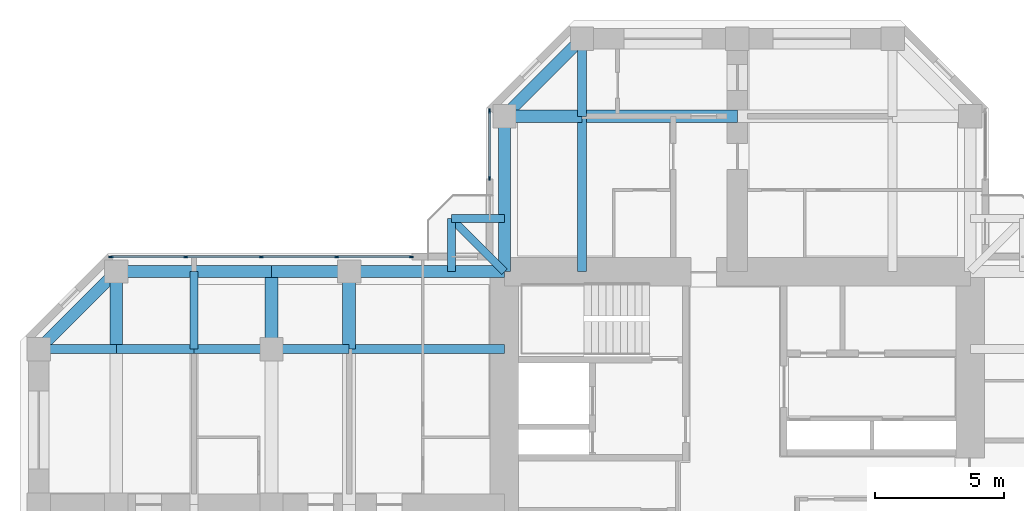
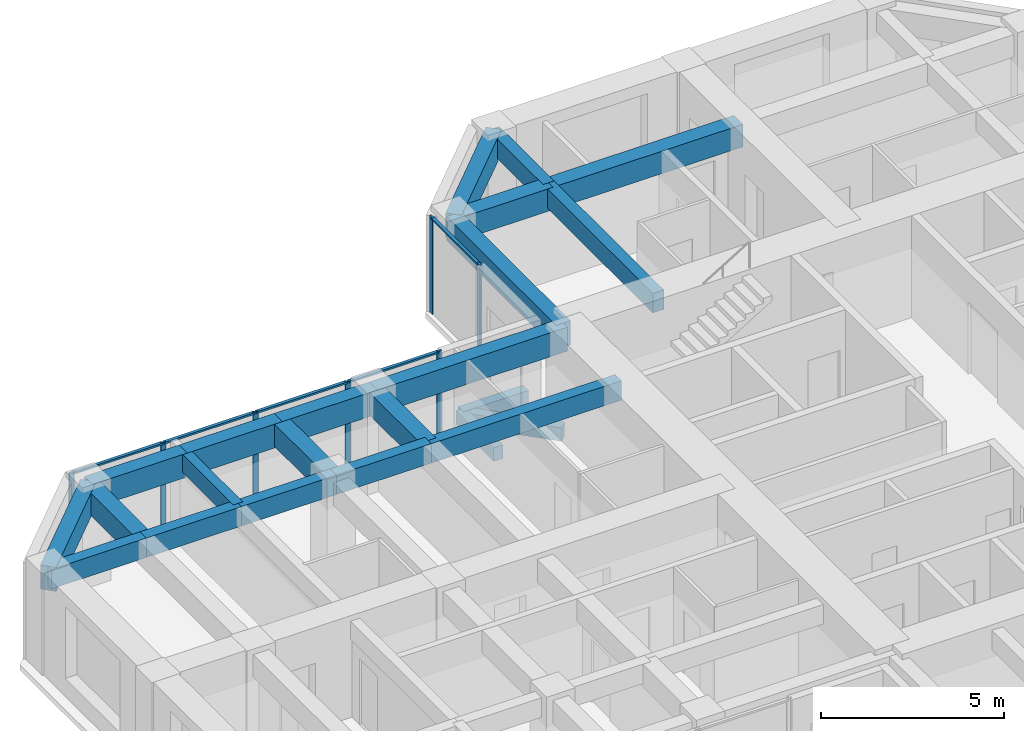
# One storey, part 5 of 14: 23 beams, 12 members, 2 elements without a shape of their own.
"""IFC4 building model written with IfcOpenShell, lengths in metres."""

from ifc_helpers import new_model, si_unit, direction, frame, origin, origin_2d, place, context, subcontext, project, spatial, rectangle, extrude, material, material_profile, profile_set, type_object, element, aggregate, save


model = new_model("IFC4")

# Units and contexts
model_context = context("Model", 3, precision=1e-05, world=origin(), true_north=direction((0.0, 1.0)))
body_context = subcontext(model_context, "Body", "Model", "MODEL_VIEW")
ifc_project = project(units=[si_unit("LENGTHUNIT", "METRE"), si_unit("AREAUNIT", "SQUARE_METRE"), si_unit("VOLUMEUNIT", "CUBIC_METRE"), si_unit("PLANEANGLEUNIT", "RADIAN"), si_unit("MASSUNIT", "GRAM", prefix="KILO")], contexts=[model_context])

# Site, building, storey
site_placement = place(None, origin())
site = spatial("IfcSite", under=ifc_project, at=site_placement, CompositionType="ELEMENT")
building_placement = place(site_placement, origin())
building = spatial("IfcBuilding", under=site, at=building_placement, Name="Torre Cruceta", CompositionType="ELEMENT")
storey_placement = place(building_placement, frame((0.0, 0.0, 203.5)))
storey = spatial("IfcBuildingStorey", under=building, at=storey_placement, Name="L51", CompositionType="ELEMENT", Elevation=203.5)

# Beams
ifc_material_1 = material(Name="Concrete G60 (fck 60 MPa)", Category="concrete")
ifc_material_profile_1 = material_profile(ifc_material_1, rectangle(XDim=0.300048828125, YDim=0.449951171875, at=origin_2d()), Name="RC 300X450")
ifc_profile_set_1 = profile_set([ifc_material_profile_1], Name="Concrete G60 (fck 60 MPa)")
beam_type_1 = type_object("IfcBeamType", Name="BALCONY CANTILEVER BEAM RC 300X450", PredefinedType="BEAM", material=ifc_profile_set_1)
beam_1_placement = place(storey_placement, frame((-9.0, 9.0, -0.405029296875), z_axis=(-0.707106781187, 0.707106781187, 0.0), x_axis=(-0.707106781187, -0.707106781187, 0.0)))
element("IfcBeam", 1, at=beam_1_placement, inside=storey, type_object=beam_type_1, Name="BB1 balcony beam L51 N", PredefinedType="BEAM", context=body_context, shape_type="SweptSolid", body=[
    extrude(rectangle(XDim=0.300048828125, YDim=0.449951171875, at=origin_2d()), origin(), (0.0, 0.0, 1.0), 2.89990234375),
])
for number, where, z_axis, x_axis, name in (
    (2, (-11.050537109375, 9.0, -0.405029296875), (0.0, 1.0, 0.0), (-1.0, 0.0, 0.0), "BB1 balcony edge beam L51 N-X"),
    (3, (-9.0, 11.050537109375, -0.405029296875), (-1.0, 0.0, 0.0), (0.0, -1.0, 0.0), "BB1 balcony edge beam L51 N-Y"),
):
    element("IfcBeam", number, at=place(storey_placement, frame(where, z_axis=z_axis, x_axis=x_axis)), inside=storey, type_object=beam_type_1, Name=name, PredefinedType="BEAM", context=body_context, shape_type="SweptSolid", body=[
        extrude(rectangle(XDim=0.300048828125, YDim=0.449951171875, at=origin_2d()), origin(), (0.0, 0.0, 1.0), 2.050537109375),
    ])
ifc_material_2 = material(Name="Concrete G60 (fck 60 MPa)", Category="concrete")
ifc_material_profile_2 = material_profile(ifc_material_2, rectangle(XDim=0.35009765625, YDim=0.64990234375, at=origin_2d()), Name="RC 350X650")
ifc_profile_set_2 = profile_set([ifc_material_profile_2], Name="Concrete G60 (fck 60 MPa)")
beam_type_2 = type_object("IfcBeamType", Name="COLUMN LINE BEAM RC 350X650", PredefinedType="BEAM", material=ifc_profile_set_2)
beam_2_placement = place(storey_placement, frame((-6.0, 9.0, 2.89501953125), z_axis=(0.0, 1.0, 0.0), x_axis=(-1.0, 0.0, 0.0)))
element("IfcBeam", 4, at=beam_2_placement, inside=storey, type_object=beam_type_2, Name="LB7 L51 N col+ 1", PredefinedType="BEAM", context=body_context, shape_type="SweptSolid", body=[
    extrude(rectangle(XDim=0.35009765625, YDim=0.64990234375, at=origin_2d()), origin(), (0.0, 0.0, 1.0), 6.0),
])
beam_3_placement = place(storey_placement, frame((-6.0, 15.0, 2.89501953125), z_axis=(0.0, 1.0, 0.0), x_axis=(-1.0, 0.0, 0.0)))
element("IfcBeam", 5, at=beam_3_placement, inside=storey, type_object=beam_type_2, Name="LB7 L51 N col+ 2", PredefinedType="BEAM", context=body_context, shape_type="SweptSolid", body=[
    extrude(rectangle(XDim=0.35009765625, YDim=0.64990234375, at=origin_2d()), origin(), (0.0, 0.0, 1.0), 3.0),
])
beam_4_placement = place(storey_placement, frame((-9.0, 6.0, 2.89501953125), z_axis=(-1.0, 0.0, 0.0), x_axis=(0.0, -1.0, 0.0)))
element("IfcBeam", 6, at=beam_4_placement, inside=storey, type_object=beam_type_2, Name="LB7 L51 W col- 1", PredefinedType="BEAM", context=body_context, shape_type="SweptSolid", body=[
    extrude(rectangle(XDim=0.35009765625, YDim=0.64990234375, at=origin_2d()), origin(), (0.0, 0.0, 1.0), 6.0),
])
for number, where, z_axis, x_axis, name in (
    (7, (-15.0, 6.0, 2.89501953125), (-1.0, 0.0, 0.0), (0.0, -1.0, 0.0), "LB7 L51 W col- 2"),
    (8, (-18.0, 6.0, 2.89501953125), (-1.0, 0.0, 0.0), (0.0, -1.0, 0.0), "LB7 L51 W col- 3"),
    (9, (-21.0, 6.0, 2.89501953125), (-1.0, 0.0, 0.0), (0.0, -1.0, 0.0), "LB7 L51 W col- 4"),
    (10, (-24.0, 6.0, 2.89501953125), (-1.0, 0.0, 0.0), (0.0, -1.0, 0.0), "LB7 L51 W col- 5"),
):
    element("IfcBeam", number, at=place(storey_placement, frame(where, z_axis=z_axis, x_axis=x_axis)), inside=storey, type_object=beam_type_2, Name=name, PredefinedType="BEAM", context=body_context, shape_type="SweptSolid", body=[
        extrude(rectangle(XDim=0.35009765625, YDim=0.64990234375, at=origin_2d()), origin(), (0.0, 0.0, 1.0), 3.0),
    ])
ifc_material_3 = material(Name="Concrete G60 (fck 60 MPa)", Category="concrete")
ifc_material_profile_3 = material_profile(ifc_material_3, rectangle(XDim=0.5, YDim=0.75, at=origin_2d()), Name="RC 500X750")
ifc_profile_set_3 = profile_set([ifc_material_profile_3], Name="Concrete G60 (fck 60 MPa)")
beam_type_3 = type_object("IfcBeamType", Name="CROSS BEAM RC 500X750", PredefinedType="BEAM", material=ifc_profile_set_3)
beam_5_placement = place(storey_placement, frame((0.0, 15.0, 2.844970703125), z_axis=(-1.0, 0.0, 0.0), x_axis=(0.0, -1.0, 0.0)))
element("IfcBeam", 11, at=beam_5_placement, inside=storey, type_object=beam_type_3, Name="GB6 L51 N cross15 3", PredefinedType="BEAM", context=body_context, shape_type="SweptSolid", body=[
    extrude(rectangle(XDim=0.5, YDim=0.75, at=origin_2d()), origin(), (0.0, 0.0, 1.0), 6.0),
])
for number, where, z_axis, x_axis, name in (
    (12, (-6.0, 15.0, 2.844970703125), (-1.0, 0.0, 0.0), (0.0, -1.0, 0.0), "GB6 L51 N cross15 4"),
    (13, (-15.0, 9.0, 2.844970703125), (0.0, -1.0, 0.0), (1.0, 0.0, 0.0), "GB6 L51 W cross15 1"),
    (14, (-18.0, 9.0, 2.844970703125), (0.0, -1.0, 0.0), (1.0, 0.0, 0.0), "GB6 L51 W cross18 1"),
    (15, (-24.0, 9.0, 2.844970703125), (0.0, -1.0, 0.0), (1.0, 0.0, 0.0), "GB6 L51 W cross24 1"),
):
    element("IfcBeam", number, at=place(storey_placement, frame(where, z_axis=z_axis, x_axis=x_axis)), inside=storey, type_object=beam_type_3, Name=name, PredefinedType="BEAM", context=body_context, shape_type="SweptSolid", body=[
        extrude(rectangle(XDim=0.5, YDim=0.75, at=origin_2d()), origin(), (0.0, 0.0, 1.0), 3.0),
    ])

# Curtain wall, members
ifc_material_4 = material(Name="Aluminium unitised curtain wall", Category="aluminium")
curtain_wall_type = type_object("IfcCurtainWallType", Name="CURTAIN WALL CW-C CO-LIVING", PredefinedType="USERDEFINED", material=ifc_material_4)
curtain_wall_1_placement = place(storey_placement, origin())
curtain_wall_1 = element("IfcCurtainWall", 16, at=curtain_wall_1_placement, inside=storey, type_object=curtain_wall_type, Name="CW-C L51 N side 09", ObjectType="UNITISED", PredefinedType="USERDEFINED")
ifc_material_5 = material(Name="Aluminium mullion", Category="aluminium")
ifc_material_profile_4 = material_profile(ifc_material_5, rectangle(XDim=0.06005859375, YDim=0.159912109375, at=origin_2d()), Name="AL 60X160")
ifc_profile_set_4 = profile_set([ifc_material_profile_4], Name="Aluminium mullion")
member_type_1 = type_object("IfcMemberType", Name="CW-C MULLION 60X160", PredefinedType="MULLION", material=ifc_profile_set_4)
member_1_placement = place(storey_placement, frame((-9.570068359375, 15.2060546875, 0.0), z_axis=(0.0, 0.0, 1.0), x_axis=(1.0, 0.0, 0.0)))
member_1 = element("IfcMember", 17, at=member_1_placement, type_object=member_type_1, Name="CW-C mullion 1", PredefinedType="MULLION", context=body_context, shape_type="SweptSolid", body=[
    extrude(rectangle(XDim=0.06005859375, YDim=0.159912109375, at=origin_2d()), origin(), (0.0, 0.0, 1.0), 3.219970703125),
])
member_2_placement = place(storey_placement, frame((-9.570068359375, 12.60009765625, 0.0), z_axis=(0.0, 0.0, 1.0), x_axis=(1.0, 0.0, 0.0)))
member_2 = element("IfcMember", 18, at=member_2_placement, type_object=member_type_1, Name="CW-C mullion 2", PredefinedType="MULLION", context=body_context, shape_type="SweptSolid", body=[
    extrude(rectangle(XDim=0.06005859375, YDim=0.159912109375, at=origin_2d()), origin(), (0.0, 0.0, 1.0), 3.219970703125),
])

curtain_wall_2_placement = place(storey_placement, origin())
curtain_wall_2 = element("IfcCurtainWall", 19, at=curtain_wall_2_placement, inside=storey, type_object=curtain_wall_type, Name="CW-C L51 W side 10", ObjectType="UNITISED", PredefinedType="USERDEFINED")
member_3_placement = place(storey_placement, frame((-12.60009765625, 9.570068359375, 0.0), z_axis=(0.0, 0.0, 1.0), x_axis=(0.0, -1.0, 0.0)))
member_3 = element("IfcMember", 20, at=member_3_placement, type_object=member_type_1, Name="CW-C mullion 1", PredefinedType="MULLION", context=body_context, shape_type="SweptSolid", body=[
    extrude(rectangle(XDim=0.06005859375, YDim=0.159912109375, at=origin_2d()), origin(), (0.0, 0.0, 1.0), 3.219970703125),
])
member_4_placement = place(storey_placement, frame((-15.486572265625, 9.570068359375, 0.0), z_axis=(0.0, 0.0, 1.0), x_axis=(0.0, -1.0, 0.0)))
member_4 = element("IfcMember", 21, at=member_4_placement, type_object=member_type_1, Name="CW-C mullion 2", PredefinedType="MULLION", context=body_context, shape_type="SweptSolid", body=[
    extrude(rectangle(XDim=0.06005859375, YDim=0.159912109375, at=origin_2d()), origin(), (0.0, 0.0, 1.0), 3.219970703125),
])
member_5_placement = place(storey_placement, frame((-18.403076171875, 9.570068359375, 0.0), z_axis=(0.0, 0.0, 1.0), x_axis=(0.0, -1.0, 0.0)))
member_5 = element("IfcMember", 22, at=member_5_placement, type_object=member_type_1, Name="CW-C mullion 3", PredefinedType="MULLION", context=body_context, shape_type="SweptSolid", body=[
    extrude(rectangle(XDim=0.06005859375, YDim=0.159912109375, at=origin_2d()), origin(), (0.0, 0.0, 1.0), 3.219970703125),
])
member_6_placement = place(storey_placement, frame((-21.319580078125, 9.570068359375, 0.0), z_axis=(0.0, 0.0, 1.0), x_axis=(0.0, -1.0, 0.0)))
member_6 = element("IfcMember", 23, at=member_6_placement, type_object=member_type_1, Name="CW-C mullion 4", PredefinedType="MULLION", context=body_context, shape_type="SweptSolid", body=[
    extrude(rectangle(XDim=0.06005859375, YDim=0.159912109375, at=origin_2d()), origin(), (0.0, 0.0, 1.0), 3.219970703125),
])
member_7_placement = place(storey_placement, frame((-24.2060546875, 9.570068359375, 0.0), z_axis=(0.0, 0.0, 1.0), x_axis=(0.0, -1.0, 0.0)))
member_7 = element("IfcMember", 24, at=member_7_placement, type_object=member_type_1, Name="CW-C mullion 5", PredefinedType="MULLION", context=body_context, shape_type="SweptSolid", body=[
    extrude(rectangle(XDim=0.06005859375, YDim=0.159912109375, at=origin_2d()), origin(), (0.0, 0.0, 1.0), 3.219970703125),
])

# Member
ifc_material_6 = material(Name="Aluminium transom", Category="aluminium")
ifc_material_profile_5 = material_profile(ifc_material_6, rectangle(XDim=0.10009765625, YDim=0.06005859375, at=origin_2d()), Name="AL 100X60")
ifc_profile_set_5 = profile_set([ifc_material_profile_5], Name="Aluminium transom")
member_type_2 = type_object("IfcMemberType", Name="CW-C TRANSOM 60X100", PredefinedType="USERDEFINED", material=ifc_profile_set_5)
member_8_placement = place(storey_placement, frame((-9.570068359375, 15.176025390625, 3.18994140625), z_axis=(0.0, -1.0, 0.0), x_axis=(1.0, 0.0, 0.0)))
member_8 = element("IfcMember", 25, at=member_8_placement, type_object=member_type_2, Name="CW-C transom 1", ObjectType="TRANSOM", PredefinedType="USERDEFINED", context=body_context, shape_type="SweptSolid", body=[
    extrude(rectangle(XDim=0.10009765625, YDim=0.06005859375, at=origin_2d()), origin(), (0.0, 0.0, 1.0), 2.546142578125),
])

aggregate(curtain_wall_1, [member_1, member_2, member_8])

member_9_placement = place(storey_placement, frame((-12.6298828125, 9.570068359375, 3.18994140625), z_axis=(-1.0, 0.0, 0.0), x_axis=(0.0, -1.0, 0.0)))
member_9 = element("IfcMember", 26, at=member_9_placement, type_object=member_type_2, Name="CW-C transom 1", ObjectType="TRANSOM", PredefinedType="USERDEFINED", context=body_context, shape_type="SweptSolid", body=[
    extrude(rectangle(XDim=0.10009765625, YDim=0.06005859375, at=origin_2d()), origin(), (0.0, 0.0, 1.0), 2.82666015625),
])

member_10_placement = place(storey_placement, frame((-15.5166015625, 9.570068359375, 3.18994140625), z_axis=(-1.0, 0.0, 0.0), x_axis=(0.0, -1.0, 0.0)))
member_10 = element("IfcMember", 27, at=member_10_placement, type_object=member_type_2, Name="CW-C transom 2", ObjectType="TRANSOM", PredefinedType="USERDEFINED", context=body_context, shape_type="SweptSolid", body=[
    extrude(rectangle(XDim=0.10009765625, YDim=0.06005859375, at=origin_2d()), origin(), (0.0, 0.0, 1.0), 2.8564453125),
])

member_11_placement = place(storey_placement, frame((-18.43310546875, 9.570068359375, 3.18994140625), z_axis=(-1.0, 0.0, 0.0), x_axis=(0.0, -1.0, 0.0)))
member_11 = element("IfcMember", 28, at=member_11_placement, type_object=member_type_2, Name="CW-C transom 3", ObjectType="TRANSOM", PredefinedType="USERDEFINED", context=body_context, shape_type="SweptSolid", body=[
    extrude(rectangle(XDim=0.10009765625, YDim=0.06005859375, at=origin_2d()), origin(), (0.0, 0.0, 1.0), 2.8564453125),
])

member_12_placement = place(storey_placement, frame((-21.349609375, 9.570068359375, 3.18994140625), z_axis=(-1.0, 0.0, 0.0), x_axis=(0.0, -1.0, 0.0)))
member_12 = element("IfcMember", 29, at=member_12_placement, type_object=member_type_2, Name="CW-C transom 4", ObjectType="TRANSOM", PredefinedType="USERDEFINED", context=body_context, shape_type="SweptSolid", body=[
    extrude(rectangle(XDim=0.10009765625, YDim=0.06005859375, at=origin_2d()), origin(), (0.0, 0.0, 1.0), 2.826416015625),
])

aggregate(curtain_wall_2, [member_3, member_4, member_5, member_6, member_7, member_9, member_10, member_11, member_12])

# Beams
ifc_material_7 = material(Name="Concrete G60 (fck 60 MPa)", Category="concrete")
ifc_material_profile_6 = material_profile(ifc_material_7, rectangle(XDim=0.300048828125, YDim=0.60009765625, at=origin_2d()), Name="RC 300X600")
ifc_profile_set_6 = profile_set([ifc_material_profile_6], Name="Concrete G60 (fck 60 MPa)")
beam_type_4 = type_object("IfcBeamType", Name="SECONDARY BEAM RC 300X600", PredefinedType="JOIST", material=ifc_profile_set_6)
beam_6_placement = place(storey_placement, frame((-21.0, 9.0, 2.919921875), z_axis=(0.0, -1.0, 0.0), x_axis=(1.0, 0.0, 0.0)))
element("IfcBeam", 30, at=beam_6_placement, inside=storey, type_object=beam_type_4, Name="JB6 L51 W sec21 1", PredefinedType="JOIST", context=body_context, shape_type="SweptSolid", body=[
    extrude(rectangle(XDim=0.300048828125, YDim=0.60009765625, at=origin_2d()), origin(), (0.0, 0.0, 1.0), 3.0),
])
ifc_material_8 = material(Name="Concrete G60 (fck 60 MPa)", Category="concrete")
ifc_material_profile_7 = material_profile(ifc_material_8, rectangle(XDim=0.449951171875, YDim=0.800048828125, at=origin_2d()), Name="RC 450X800")
ifc_profile_set_7 = profile_set([ifc_material_profile_7], Name="Concrete G60 (fck 60 MPa)")
beam_type_5 = type_object("IfcBeamType", Name="SPANDREL BEAM RC 450X800", PredefinedType="SPANDREL", material=ifc_profile_set_7)
beam_7_placement = place(storey_placement, frame((-9.0, 9.0, 2.820068359375), z_axis=(0.0, 1.0, 0.0), x_axis=(-1.0, 0.0, 0.0)))
element("IfcBeam", 31, at=beam_7_placement, inside=storey, type_object=beam_type_5, Name="SB6 L51 N side+ 1", PredefinedType="SPANDREL", context=body_context, shape_type="SweptSolid", body=[
    extrude(rectangle(XDim=0.449951171875, YDim=0.800048828125, at=origin_2d()), origin(), (0.0, 0.0, 1.0), 6.0),
])
beam_8_placement = place(storey_placement, frame((-9.0, 15.0, 2.820068359375), z_axis=(0.707106781187, 0.707106781187, 0.0), x_axis=(-0.707106781187, 0.707106781187, 0.0)))
element("IfcBeam", 32, at=beam_8_placement, inside=storey, type_object=beam_type_5, Name="SB6 L51 N side+ 2", PredefinedType="SPANDREL", context=body_context, shape_type="SweptSolid", body=[
    extrude(rectangle(XDim=0.449951171875, YDim=0.800048828125, at=origin_2d()), origin(), (0.0, 0.0, 1.0), 4.24267578125),
])
beam_9_placement = place(storey_placement, frame((-9.0, 9.0, 2.820068359375), z_axis=(-1.0, 0.0, 0.0), x_axis=(0.0, -1.0, 0.0)))
element("IfcBeam", 33, at=beam_9_placement, inside=storey, type_object=beam_type_5, Name="SB6 L51 W side- 1", PredefinedType="SPANDREL", context=body_context, shape_type="SweptSolid", body=[
    extrude(rectangle(XDim=0.449951171875, YDim=0.800048828125, at=origin_2d()), origin(), (0.0, 0.0, 1.0), 6.0),
])
for number, where, z_axis, x_axis, name in (
    (34, (-15.0, 9.0, 2.820068359375), (-1.0, 0.0, 0.0), (0.0, -1.0, 0.0), "SB6 L51 W side- 2"),
    (35, (-18.0, 9.0, 2.820068359375), (-1.0, 0.0, 0.0), (0.0, -1.0, 0.0), "SB6 L51 W side- 3"),
    (36, (-21.0, 9.0, 2.820068359375), (-1.0, 0.0, 0.0), (0.0, -1.0, 0.0), "SB6 L51 W side- 4"),
):
    element("IfcBeam", number, at=place(storey_placement, frame(where, z_axis=z_axis, x_axis=x_axis)), inside=storey, type_object=beam_type_5, Name=name, PredefinedType="SPANDREL", context=body_context, shape_type="SweptSolid", body=[
        extrude(rectangle(XDim=0.449951171875, YDim=0.800048828125, at=origin_2d()), origin(), (0.0, 0.0, 1.0), 3.0),
    ])
beam_10_placement = place(storey_placement, frame((-24.0, 9.0, 2.820068359375), z_axis=(-0.707106781187, -0.707106781187, 0.0), x_axis=(0.707106781187, -0.707106781187, 0.0)))
element("IfcBeam", 37, at=beam_10_placement, inside=storey, type_object=beam_type_5, Name="SB6 L51 W side- 5", PredefinedType="SPANDREL", context=body_context, shape_type="SweptSolid", body=[
    extrude(rectangle(XDim=0.449951171875, YDim=0.800048828125, at=origin_2d()), origin(), (0.0, 0.0, 1.0), 4.24267578125),
])

save(model, "model.ifc")
